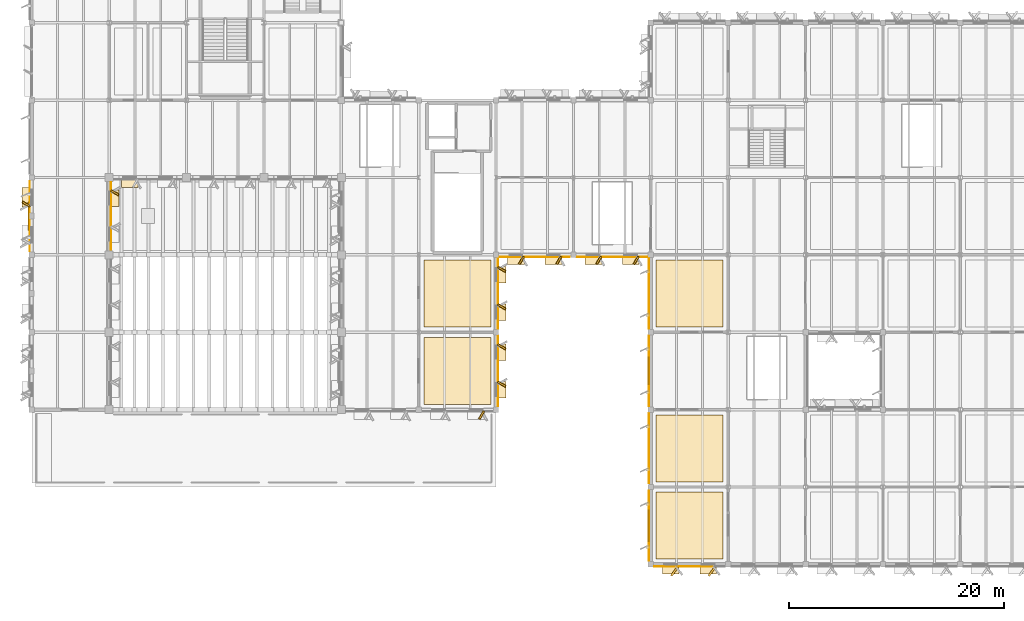
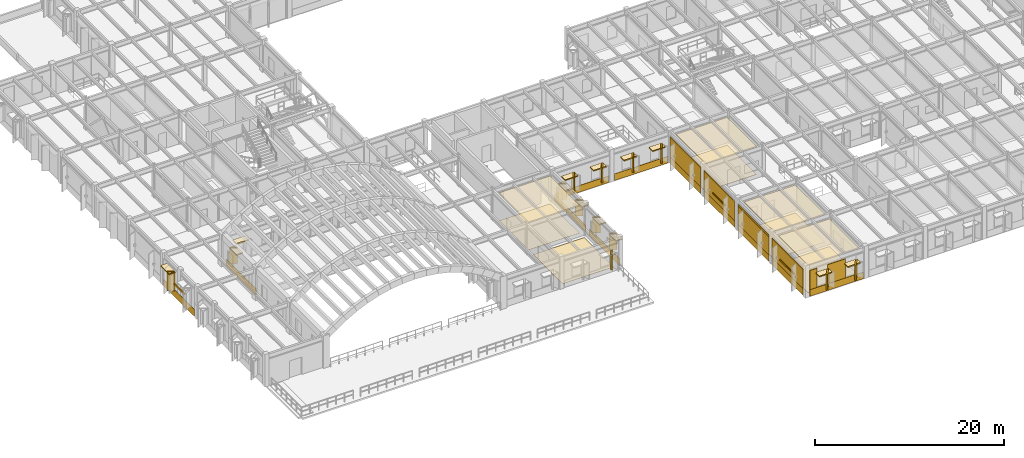
# One storey, part 71 of 85: 56 coverings, 3 shading devices.
"""IFC4 building model written with IfcOpenShell, lengths in metres."""

from ifc_helpers import new_model, si_unit, direction, frame, frame_2d, origin, origin_2d, place, context, subcontext, project, spatial, polyline, rectangle, outline, extrude, material, layer, layer_set, type_object, element, save


model = new_model("IFC4")

# Units and contexts
model_context = context("Model", 3, precision=1e-05, world=origin(), true_north=direction((0.0, 1.0)))
body_context = subcontext(model_context, "Body", "Model", "MODEL_VIEW")
ifc_project = project(units=[si_unit("LENGTHUNIT", "METRE"), si_unit("AREAUNIT", "SQUARE_METRE"), si_unit("VOLUMEUNIT", "CUBIC_METRE"), si_unit("PLANEANGLEUNIT", "RADIAN"), si_unit("MASSUNIT", "GRAM", prefix="KILO")], contexts=[model_context])

# Site, building, storey
site_placement = place(None, origin())
site = spatial("IfcSite", under=ifc_project, at=site_placement, CompositionType="ELEMENT")
building_placement = place(site_placement, origin())
building = spatial("IfcBuilding", under=site, at=building_placement, Name="Sillqori Civic Hall", CompositionType="ELEMENT")
storey_placement = place(building_placement, frame((0.0, 0.0, 9.89990234375)))
storey = spatial("IfcBuildingStorey", under=building, at=storey_placement, Name="L03", CompositionType="ELEMENT", Elevation=9.89990234375)

# Coverings
ifc_material_1 = material(Name="Perforated Metal Coffer Panel 64", Category="aluminium")
ifc_layer_1 = layer(ifc_material_1, 0.06396484375)
ifc_layer_set_1 = layer_set([ifc_layer_1], Name="Perforated Metal Coffer Panel 64")
covering_type_1 = type_object("IfcCoveringType", Name="COV-CEIL-M64", PredefinedType="CEILING", material=ifc_layer_set_1)
covering_1_placement = place(storey_placement, frame((0.0, 0.0, 3.55712890625)))
element("IfcCovering", 1, at=covering_1_placement, inside=storey, type_object=covering_type_1, Name="Youth Municipal Council Workshop Studio acoustic ceiling", PredefinedType="CEILING", context=body_context, shape_type="SweptSolid", body=[
    extrude(outline(polyline([(65.280029296875, 29.280029296875), (71.52001953125, 29.280029296875), (71.52001953125, 35.52001953125), (65.280029296875, 35.52001953125), (65.280029296875, 29.280029296875)])), origin(), (0.0, 0.0, 1.0), 0.06396484375),
])
ifc_material_2 = material(Name="Mineral-Fibre High-NRC Tile Ceiling", Category="gypsum")
ifc_layer_2 = layer(ifc_material_2, 0.02392578125)
ifc_layer_set_2 = layer_set([ifc_layer_2], Name="Mineral-Fibre High-NRC Tile Ceiling")
covering_type_2 = type_object("IfcCoveringType", Name="COV-CEIL-MIN", PredefinedType="CEILING", material=ifc_layer_set_2)
covering_2_placement = place(storey_placement, frame((0.0, 0.0, 3.59716796875)))
element("IfcCovering", 2, at=covering_2_placement, inside=storey, type_object=covering_type_2, Name="Council Presidency Robing and Caucus Salon acoustic ceiling", PredefinedType="CEILING", context=body_context, shape_type="SweptSolid", body=[
    extrude(outline(polyline([(43.679931640625, 29.280029296875), (49.919921875, 29.280029296875), (49.919921875, 35.52001953125), (43.679931640625, 35.52001953125), (43.679931640625, 29.280029296875)])), origin(), (0.0, 0.0, 1.0), 0.02392578125),
])
ifc_material_3 = material(Name="Andean Cedar Slatted Baffle 52", Category="timber")
ifc_layer_3 = layer(ifc_material_3, 0.052001953125)
ifc_layer_set_3 = layer_set([ifc_layer_3], Name="Andean Cedar Slatted Baffle 52")
covering_type_3 = type_object("IfcCoveringType", Name="COV-CEIL-T52", PredefinedType="CEILING", material=ifc_layer_set_3)
covering_3_placement = place(storey_placement, frame((0.0, 0.0, 3.569091796875)))
element("IfcCovering", 3, at=covering_3_placement, inside=storey, type_object=covering_type_3, Name="Civic Heritage Exhibition Gallery acoustic ceiling", PredefinedType="CEILING", context=body_context, shape_type="SweptSolid", body=[
    extrude(outline(polyline([(65.280029296875, 7.679931640625), (71.52001953125, 7.679931640625), (71.52001953125, 13.919921875), (65.280029296875, 13.919921875), (65.280029296875, 7.679931640625)])), origin(), (0.0, 0.0, 1.0), 0.052001953125),
])
ifc_material_4 = material(Name="Andean Cedar Deep Baffle 58", Category="timber")
ifc_layer_4 = layer(ifc_material_4, 0.05810546875)
ifc_layer_set_4 = layer_set([ifc_layer_4], Name="Andean Cedar Deep Baffle 58")
covering_type_4 = type_object("IfcCoveringType", Name="COV-CEIL-T58", PredefinedType="CEILING", material=ifc_layer_set_4)
covering_4_placement = place(storey_placement, frame((0.0, 0.0, 3.56298828125)))
element("IfcCovering", 4, at=covering_4_placement, inside=storey, type_object=covering_type_4, Name="Citizen Participatory Budgeting Forum Hall acoustic ceiling", PredefinedType="CEILING", context=body_context, shape_type="SweptSolid", body=[
    extrude(outline(polyline([(65.280029296875, 14.8798828125), (71.52001953125, 14.8798828125), (71.52001953125, 21.1201171875), (65.280029296875, 21.1201171875), (65.280029296875, 14.8798828125)])), origin(), (0.0, 0.0, 1.0), 0.05810546875),
])
ifc_material_5 = material(Name="Cochabamba Honed Limestone Cladding", Category="masonry")
ifc_layer_5 = layer(ifc_material_5, 0.044921875)
ifc_layer_set_5 = layer_set([ifc_layer_5], Name="Cochabamba Honed Limestone Cladding")
covering_type_5 = type_object("IfcCoveringType", Name="COV-CLAD-LIME", PredefinedType="CLADDING", material=ifc_layer_set_5)
covering_5_placement = place(storey_placement, frame((7.010009765625, 36.330078125, 0.0400390625), z_axis=(0.0, 0.0, 1.0), x_axis=(0.0, 1.0, 0.0)))
element("IfcCovering", 5, at=covering_5_placement, inside=storey, type_object=covering_type_5, Name="L03 limestone spandrel cladding L03-01-05-W", PredefinedType="CLADDING", context=body_context, shape_type="SweptSolid", body=[
    extrude(rectangle(XDim=6.5400390625, YDim=0.044921875, at=frame_2d((3.27001953125, 0.0))), origin(), (0.0, 0.0, 1.0), 0.860107421875),
])
covering_6_placement = place(storey_placement, frame((7.050048828125, 40.4970703125, 0.830078125), z_axis=(0.0, 0.0, 1.0), x_axis=(-0.865989465428, 0.500062241894, 0.0)))
element("IfcCovering", 6, at=covering_6_placement, inside=storey, type_object=covering_type_5, Name="Sawtooth limestone angled reveal cheek L03-01-05-W.2", PredefinedType="CLADDING", context=body_context, shape_type="SweptSolid", body=[
    extrude(rectangle(XDim=0.85009765625, YDim=0.179931640625, at=frame_2d((0.425048828125, 0.0))), origin(), (0.0, 0.0, 1.0), 2.449951171875),
])
covering_7_placement = place(storey_placement, frame((6.669921875, 40.43701171875, 3.14013671875), z_axis=(0.0, 0.0, 1.0), x_axis=(0.0, 1.0, 0.0)))
element("IfcCovering", 7, at=covering_7_placement, inside=storey, type_object=covering_type_5, Name="Sawtooth limestone window hood L03-01-05-W.2", PredefinedType="CLADDING", context=body_context, shape_type="SweptSolid", body=[
    extrude(rectangle(XDim=1.81005859375, YDim=0.780029296875, at=frame_2d((0.905029296875, 0.0))), origin(), (0.0, 0.0, 1.0), 0.139892578125),
])
covering_8_placement = place(storey_placement, frame((14.590087890625, 42.7451171875, 0.0400390625), z_axis=(0.0, 0.0, 1.0), x_axis=(0.0, -1.0, 0.0)))
element("IfcCovering", 8, at=covering_8_placement, inside=storey, type_object=covering_type_5, Name="L03 limestone spandrel cladding L03-01-05-E", PredefinedType="CLADDING", context=body_context, shape_type="SweptSolid", body=[
    extrude(rectangle(XDim=6.2900390625, YDim=0.044921875, at=frame_2d((3.14501953125, 0.0))), origin(), (0.0, 0.0, 1.0), 0.860107421875),
])
covering_9_placement = place(storey_placement, frame((14.550048828125, 41.9970703125, 0.830078125), z_axis=(0.0, 0.0, 1.0), x_axis=(0.865989465428, -0.500062241894, 0.0)))
element("IfcCovering", 9, at=covering_9_placement, inside=storey, type_object=covering_type_5, Name="Sawtooth limestone angled reveal cheek L03-01-05-E.1", PredefinedType="CLADDING", context=body_context, shape_type="SweptSolid", body=[
    extrude(rectangle(XDim=0.85009765625, YDim=0.179931640625, at=frame_2d((0.425048828125, 0.0))), origin(), (0.0, 0.0, 1.0), 2.0),
])
covering_10_placement = place(storey_placement, frame((14.929931640625, 42.056884765625, 2.690185546875), z_axis=(0.0, 0.0, 1.0), x_axis=(0.0, -1.0, 0.0)))
element("IfcCovering", 10, at=covering_10_placement, inside=storey, type_object=covering_type_5, Name="Sawtooth limestone window hood L03-01-05-E.1", PredefinedType="CLADDING", context=body_context, shape_type="SweptSolid", body=[
    extrude(rectangle(XDim=1.559814453125, YDim=0.780029296875, at=frame_2d((0.77978515625, 0.0))), origin(), (0.0, 0.0, 1.0), 0.139892578125),
])
covering_11_placement = place(storey_placement, frame((17.10302734375, 42.669921875, 2.690185546875), z_axis=(0.0, 0.0, 1.0), x_axis=(-1.0, 0.0, 0.0)))
element("IfcCovering", 11, at=covering_11_placement, inside=storey, type_object=covering_type_5, Name="Sawtooth limestone window hood L03-02-06-S.2", PredefinedType="CLADDING", context=body_context, shape_type="SweptSolid", body=[
    extrude(rectangle(XDim=1.56005859375, YDim=0.780029296875, at=frame_2d((0.780029296875, 0.0))), origin(), (0.0, 0.0, 1.0), 0.139892578125),
])
covering_12_placement = place(storey_placement, frame((49.261962890625, 21.449951171875, 0.830078125), z_axis=(0.0, 0.0, 1.0), x_axis=(-0.500062241894, -0.865989465428, 0.0)))
element("IfcCovering", 12, at=covering_12_placement, inside=storey, type_object=covering_type_5, Name="Sawtooth limestone angled reveal cheek L03-06-03-S.1", PredefinedType="CLADDING", context=body_context, shape_type="SweptSolid", body=[
    extrude(rectangle(XDim=0.85009765625, YDim=0.179931640625, at=frame_2d((0.425048828125, 0.0))), origin(), (0.0, 0.0, 1.0), 2.0),
])
covering_13_placement = place(storey_placement, frame((50.590087890625, 28.469970703125, 0.0400390625), z_axis=(0.0, 0.0, 1.0), x_axis=(0.0, -1.0, 0.0)))
element("IfcCovering", 13, at=covering_13_placement, inside=storey, type_object=covering_type_5, Name="L03 limestone spandrel cladding L03-06-03-E", PredefinedType="CLADDING", context=body_context, shape_type="SweptSolid", body=[
    extrude(rectangle(XDim=6.5400390625, YDim=0.044921875, at=frame_2d((3.27001953125, 0.0))), origin(), (0.0, 0.0, 1.0), 0.860107421875),
])
covering_14_placement = place(storey_placement, frame((50.550048828125, 27.662109375, 0.830078125), z_axis=(0.0, 0.0, 1.0), x_axis=(0.865989465428, -0.500062241894, 0.0)))
element("IfcCovering", 14, at=covering_14_placement, inside=storey, type_object=covering_type_5, Name="Sawtooth limestone angled reveal cheek L03-06-03-E.1", PredefinedType="CLADDING", context=body_context, shape_type="SweptSolid", body=[
    extrude(rectangle(XDim=0.85009765625, YDim=0.179931640625, at=frame_2d((0.425048828125, 0.0))), origin(), (0.0, 0.0, 1.0), 2.0),
])
covering_15_placement = place(storey_placement, frame((50.929931640625, 27.721923828125, 2.690185546875), z_axis=(0.0, 0.0, 1.0), x_axis=(0.0, -1.0, 0.0)))
element("IfcCovering", 15, at=covering_15_placement, inside=storey, type_object=covering_type_5, Name="Sawtooth limestone window hood L03-06-03-E.1", PredefinedType="CLADDING", context=body_context, shape_type="SweptSolid", body=[
    extrude(rectangle(XDim=1.559814453125, YDim=0.780029296875, at=frame_2d((0.77978515625, 0.0))), origin(), (0.0, 0.0, 1.0), 0.139892578125),
])
covering_16_placement = place(storey_placement, frame((50.550048828125, 24.177978515625, 0.830078125), z_axis=(0.0, 0.0, 1.0), x_axis=(0.865989465428, -0.500062241894, 0.0)))
element("IfcCovering", 16, at=covering_16_placement, inside=storey, type_object=covering_type_5, Name="Sawtooth limestone angled reveal cheek L03-06-03-E.2", PredefinedType="CLADDING", context=body_context, shape_type="SweptSolid", body=[
    extrude(rectangle(XDim=0.85009765625, YDim=0.179931640625, at=frame_2d((0.425048828125, 0.0))), origin(), (0.0, 0.0, 1.0), 2.0),
])
covering_17_placement = place(storey_placement, frame((50.929931640625, 24.238037109375, 2.690185546875), z_axis=(0.0, 0.0, 1.0), x_axis=(0.0, -1.0, 0.0)))
element("IfcCovering", 17, at=covering_17_placement, inside=storey, type_object=covering_type_5, Name="Sawtooth limestone window hood L03-06-03-E.2", PredefinedType="CLADDING", context=body_context, shape_type="SweptSolid", body=[
    extrude(rectangle(XDim=1.56005859375, YDim=0.780029296875, at=frame_2d((0.780029296875, 0.0))), origin(), (0.0, 0.0, 1.0), 0.139892578125),
])
covering_18_placement = place(storey_placement, frame((50.590087890625, 35.669921875, 0.0400390625), z_axis=(0.0, 0.0, 1.0), x_axis=(0.0, -1.0, 0.0)))
element("IfcCovering", 18, at=covering_18_placement, inside=storey, type_object=covering_type_5, Name="L03 limestone spandrel cladding L03-06-04-E", PredefinedType="CLADDING", context=body_context, shape_type="SweptSolid", body=[
    extrude(rectangle(XDim=6.5400390625, YDim=0.044921875, at=frame_2d((3.27001953125, 0.0))), origin(), (0.0, 0.0, 1.0), 0.860107421875),
])
covering_19_placement = place(storey_placement, frame((50.550048828125, 34.862060546875, 0.830078125), z_axis=(0.0, 0.0, 1.0), x_axis=(0.865989465428, -0.500062241894, 0.0)))
element("IfcCovering", 19, at=covering_19_placement, inside=storey, type_object=covering_type_5, Name="Sawtooth limestone angled reveal cheek L03-06-04-E.1", PredefinedType="CLADDING", context=body_context, shape_type="SweptSolid", body=[
    extrude(rectangle(XDim=0.85009765625, YDim=0.179931640625, at=frame_2d((0.425048828125, 0.0))), origin(), (0.0, 0.0, 1.0), 2.0),
])
covering_20_placement = place(storey_placement, frame((50.929931640625, 34.922119140625, 2.690185546875), z_axis=(0.0, 0.0, 1.0), x_axis=(0.0, -1.0, 0.0)))
element("IfcCovering", 20, at=covering_20_placement, inside=storey, type_object=covering_type_5, Name="Sawtooth limestone window hood L03-06-04-E.1", PredefinedType="CLADDING", context=body_context, shape_type="SweptSolid", body=[
    extrude(rectangle(XDim=1.56005859375, YDim=0.780029296875, at=frame_2d((0.780029296875, 0.0))), origin(), (0.0, 0.0, 1.0), 0.139892578125),
])
covering_21_placement = place(storey_placement, frame((50.550048828125, 31.3779296875, 0.830078125), z_axis=(0.0, 0.0, 1.0), x_axis=(0.865989465428, -0.500062241894, 0.0)))
element("IfcCovering", 21, at=covering_21_placement, inside=storey, type_object=covering_type_5, Name="Sawtooth limestone angled reveal cheek L03-06-04-E.2", PredefinedType="CLADDING", context=body_context, shape_type="SweptSolid", body=[
    extrude(rectangle(XDim=0.85009765625, YDim=0.179931640625, at=frame_2d((0.425048828125, 0.0))), origin(), (0.0, 0.0, 1.0), 2.0),
])
covering_22_placement = place(storey_placement, frame((50.929931640625, 31.43798828125, 2.690185546875), z_axis=(0.0, 0.0, 1.0), x_axis=(0.0, -1.0, 0.0)))
element("IfcCovering", 22, at=covering_22_placement, inside=storey, type_object=covering_type_5, Name="Sawtooth limestone window hood L03-06-04-E.2", PredefinedType="CLADDING", context=body_context, shape_type="SweptSolid", body=[
    extrude(rectangle(XDim=1.56005859375, YDim=0.780029296875, at=frame_2d((0.780029296875, 0.0))), origin(), (0.0, 0.0, 1.0), 0.139892578125),
])
covering_23_placement = place(storey_placement, frame((57.27001953125, 35.81005859375, 0.0400390625), z_axis=(0.0, 0.0, 1.0), x_axis=(-1.0, 0.0, 0.0)))
element("IfcCovering", 23, at=covering_23_placement, inside=storey, type_object=covering_type_5, Name="L03 limestone spandrel cladding L03-07-05-S", PredefinedType="CLADDING", context=body_context, shape_type="SweptSolid", body=[
    extrude(rectangle(XDim=6.5400390625, YDim=0.044921875, at=frame_2d((3.27001953125, 0.0))), origin(), (0.0, 0.0, 1.0), 0.860107421875),
])
covering_24_placement = place(storey_placement, frame((56.4619140625, 35.85009765625, 0.830078125), z_axis=(0.0, 0.0, 1.0), x_axis=(-0.499846793097, -0.866113839764, 0.0)))
element("IfcCovering", 24, at=covering_24_placement, inside=storey, type_object=covering_type_5, Name="Sawtooth limestone angled reveal cheek L03-07-05-S.1", PredefinedType="CLADDING", context=body_context, shape_type="SweptSolid", body=[
    extrude(rectangle(XDim=0.849853515625, YDim=0.179931640625, at=frame_2d((0.4248046875, 0.0))), origin(), (0.0, 0.0, 1.0), 2.0),
])
covering_25_placement = place(storey_placement, frame((56.52197265625, 35.469970703125, 2.690185546875), z_axis=(0.0, 0.0, 1.0), x_axis=(-1.0, 0.0, 0.0)))
element("IfcCovering", 25, at=covering_25_placement, inside=storey, type_object=covering_type_5, Name="Sawtooth limestone window hood L03-07-05-S.1", PredefinedType="CLADDING", context=body_context, shape_type="SweptSolid", body=[
    extrude(rectangle(XDim=1.56005859375, YDim=0.780029296875, at=frame_2d((0.780029296875, 0.0))), origin(), (0.0, 0.0, 1.0), 0.139892578125),
])
covering_26_placement = place(storey_placement, frame((52.97802734375, 35.85009765625, 0.830078125), z_axis=(0.0, 0.0, 1.0), x_axis=(-0.500062241894, -0.865989465428, 0.0)))
element("IfcCovering", 26, at=covering_26_placement, inside=storey, type_object=covering_type_5, Name="Sawtooth limestone angled reveal cheek L03-07-05-S.2", PredefinedType="CLADDING", context=body_context, shape_type="SweptSolid", body=[
    extrude(rectangle(XDim=0.85009765625, YDim=0.179931640625, at=frame_2d((0.425048828125, 0.0))), origin(), (0.0, 0.0, 1.0), 2.0),
])
covering_27_placement = place(storey_placement, frame((53.0380859375, 35.469970703125, 2.690185546875), z_axis=(0.0, 0.0, 1.0), x_axis=(-1.0, 0.0, 0.0)))
element("IfcCovering", 27, at=covering_27_placement, inside=storey, type_object=covering_type_5, Name="Sawtooth limestone window hood L03-07-05-S.2", PredefinedType="CLADDING", context=body_context, shape_type="SweptSolid", body=[
    extrude(rectangle(XDim=1.56005859375, YDim=0.780029296875, at=frame_2d((0.780029296875, 0.0))), origin(), (0.0, 0.0, 1.0), 0.139892578125),
])
covering_28_placement = place(storey_placement, frame((64.469970703125, 35.81005859375, 0.0400390625), z_axis=(0.0, 0.0, 1.0), x_axis=(-1.0, 0.0, 0.0)))
element("IfcCovering", 28, at=covering_28_placement, inside=storey, type_object=covering_type_5, Name="L03 limestone spandrel cladding L03-08-05-S", PredefinedType="CLADDING", context=body_context, shape_type="SweptSolid", body=[
    extrude(rectangle(XDim=6.5400390625, YDim=0.044921875, at=frame_2d((3.27001953125, 0.0))), origin(), (0.0, 0.0, 1.0), 0.860107421875),
])
covering_29_placement = place(storey_placement, frame((63.662109375, 35.85009765625, 0.830078125), z_axis=(0.0, 0.0, 1.0), x_axis=(-0.500062241894, -0.865989465428, 0.0)))
element("IfcCovering", 29, at=covering_29_placement, inside=storey, type_object=covering_type_5, Name="Sawtooth limestone angled reveal cheek L03-08-05-S.1", PredefinedType="CLADDING", context=body_context, shape_type="SweptSolid", body=[
    extrude(rectangle(XDim=0.85009765625, YDim=0.179931640625, at=frame_2d((0.425048828125, 0.0))), origin(), (0.0, 0.0, 1.0), 2.0),
])
covering_30_placement = place(storey_placement, frame((63.721923828125, 35.469970703125, 2.690185546875), z_axis=(0.0, 0.0, 1.0), x_axis=(-1.0, 0.0, 0.0)))
element("IfcCovering", 30, at=covering_30_placement, inside=storey, type_object=covering_type_5, Name="Sawtooth limestone window hood L03-08-05-S.1", PredefinedType="CLADDING", context=body_context, shape_type="SweptSolid", body=[
    extrude(rectangle(XDim=1.559814453125, YDim=0.780029296875, at=frame_2d((0.77978515625, 0.0))), origin(), (0.0, 0.0, 1.0), 0.139892578125),
])
covering_31_placement = place(storey_placement, frame((60.177978515625, 35.85009765625, 0.830078125), z_axis=(0.0, 0.0, 1.0), x_axis=(-0.500062241894, -0.865989465428, 0.0)))
element("IfcCovering", 31, at=covering_31_placement, inside=storey, type_object=covering_type_5, Name="Sawtooth limestone angled reveal cheek L03-08-05-S.2", PredefinedType="CLADDING", context=body_context, shape_type="SweptSolid", body=[
    extrude(rectangle(XDim=0.85009765625, YDim=0.179931640625, at=frame_2d((0.425048828125, 0.0))), origin(), (0.0, 0.0, 1.0), 2.0),
])
covering_32_placement = place(storey_placement, frame((60.238037109375, 35.469970703125, 2.690185546875), z_axis=(0.0, 0.0, 1.0), x_axis=(-1.0, 0.0, 0.0)))
element("IfcCovering", 32, at=covering_32_placement, inside=storey, type_object=covering_type_5, Name="Sawtooth limestone window hood L03-08-05-S.2", PredefinedType="CLADDING", context=body_context, shape_type="SweptSolid", body=[
    extrude(rectangle(XDim=1.56005859375, YDim=0.780029296875, at=frame_2d((0.780029296875, 0.0))), origin(), (0.0, 0.0, 1.0), 0.139892578125),
])
covering_33_placement = place(storey_placement, frame((71.669921875, 7.02001953125, 0.0400390625), z_axis=(0.0, 0.0, 1.0), x_axis=(-1.0, 0.0, 0.0)))
element("IfcCovering", 33, at=covering_33_placement, inside=storey, type_object=covering_type_5, Name="L03 limestone spandrel cladding L03-09-01-S", PredefinedType="CLADDING", context=body_context, shape_type="SweptSolid", body=[
    extrude(rectangle(XDim=6.5400390625, YDim=0.044921875, at=frame_2d((3.27001953125, 0.0))), origin(), (0.0, 0.0, 1.0), 0.860107421875),
])
covering_34_placement = place(storey_placement, frame((69.501953125, 7.02001953125, 0.900146484375), z_axis=(0.0, 0.0, 1.0), x_axis=(-1.0, 0.0, 0.0)))
element("IfcCovering", 34, at=covering_34_placement, inside=storey, type_object=covering_type_5, Name="L03 Wedge Hall limestone pier cladding L03-09-01-S.2", PredefinedType="CLADDING", context=body_context, shape_type="SweptSolid", body=[
    extrude(rectangle(XDim=2.203857421875, YDim=0.044921875, at=frame_2d((1.10205078125, 0.0))), origin(), (0.0, 0.0, 1.0), 2.47802734375),
])
covering_35_placement = place(storey_placement, frame((66.01806640625, 7.02001953125, 0.900146484375), z_axis=(0.0, 0.0, 1.0), x_axis=(-1.0, 0.0, 0.0)))
element("IfcCovering", 35, at=covering_35_placement, inside=storey, type_object=covering_type_5, Name="L03 Wedge Hall limestone pier cladding L03-09-01-S.3", PredefinedType="CLADDING", context=body_context, shape_type="SweptSolid", body=[
    extrude(rectangle(XDim=0.88818359375, YDim=0.044921875, at=frame_2d((0.444091796875, 0.0))), origin(), (0.0, 0.0, 1.0), 2.47802734375),
])
covering_36_placement = place(storey_placement, frame((70.862060546875, 7.06005859375, 0.830078125), z_axis=(0.0, 0.0, 1.0), x_axis=(-0.587805596445, -0.809002213092, 0.0)))
element("IfcCovering", 36, at=covering_36_placement, inside=storey, type_object=covering_type_5, Name="Sawtooth limestone angled reveal cheek L03-09-01-S.1", PredefinedType="CLADDING", context=body_context, shape_type="SweptSolid", body=[
    extrude(rectangle(XDim=1.150146484375, YDim=0.179931640625, at=frame_2d((0.5751953125, 0.0))), origin(), (0.0, 0.0, 1.0), 2.0),
])
covering_37_placement = place(storey_placement, frame((70.922119140625, 6.679931640625, 2.690185546875), z_axis=(0.0, 0.0, 1.0), x_axis=(-1.0, 0.0, 0.0)))
element("IfcCovering", 37, at=covering_37_placement, inside=storey, type_object=covering_type_5, Name="Sawtooth limestone window hood L03-09-01-S.1", PredefinedType="CLADDING", context=body_context, shape_type="SweptSolid", body=[
    extrude(rectangle(XDim=1.56005859375, YDim=0.780029296875, at=frame_2d((0.780029296875, 0.0))), origin(), (0.0, 0.0, 1.0), 0.139892578125),
])
covering_38_placement = place(storey_placement, frame((67.3779296875, 7.06005859375, 0.830078125), z_axis=(0.0, 0.0, 1.0), x_axis=(-0.587805596445, -0.809002213092, 0.0)))
element("IfcCovering", 38, at=covering_38_placement, inside=storey, type_object=covering_type_5, Name="Sawtooth limestone angled reveal cheek L03-09-01-S.2", PredefinedType="CLADDING", context=body_context, shape_type="SweptSolid", body=[
    extrude(rectangle(XDim=1.150146484375, YDim=0.179931640625, at=frame_2d((0.5751953125, 0.0))), origin(), (0.0, 0.0, 1.0), 2.0),
])
covering_39_placement = place(storey_placement, frame((67.43798828125, 6.679931640625, 2.690185546875), z_axis=(0.0, 0.0, 1.0), x_axis=(-1.0, 0.0, 0.0)))
element("IfcCovering", 39, at=covering_39_placement, inside=storey, type_object=covering_type_5, Name="Sawtooth limestone window hood L03-09-01-S.2", PredefinedType="CLADDING", context=body_context, shape_type="SweptSolid", body=[
    extrude(rectangle(XDim=1.56005859375, YDim=0.780029296875, at=frame_2d((0.780029296875, 0.0))), origin(), (0.0, 0.0, 1.0), 0.139892578125),
])
covering_40_placement = place(storey_placement, frame((64.6201171875, 7.530029296875, 0.0400390625), z_axis=(0.0, 0.0, 1.0), x_axis=(0.0, 1.0, 0.0)))
element("IfcCovering", 40, at=covering_40_placement, inside=storey, type_object=covering_type_5, Name="L03 limestone spandrel cladding L03-09-01-W", PredefinedType="CLADDING", context=body_context, shape_type="SweptSolid", body=[
    extrude(rectangle(XDim=6.5400390625, YDim=0.044921875, at=frame_2d((3.27001953125, 0.0))), origin(), (0.0, 0.0, 1.0), 0.860107421875),
])
covering_41_placement = place(storey_placement, frame((64.6201171875, 7.530029296875, 3.22021484375), z_axis=(0.0, 0.0, 1.0), x_axis=(0.0, 1.0, 0.0)))
element("IfcCovering", 41, at=covering_41_placement, inside=storey, type_object=covering_type_5, Name="L03 limestone frieze cladding L03-09-01-W", PredefinedType="CLADDING", context=body_context, shape_type="SweptSolid", body=[
    extrude(rectangle(XDim=6.5400390625, YDim=0.044921875, at=frame_2d((3.27001953125, 0.0))), origin(), (0.0, 0.0, 1.0), 0.226806640625),
])
covering_42_placement = place(storey_placement, frame((64.6201171875, 7.530029296875, 0.900146484375), z_axis=(0.0, 0.0, 1.0), x_axis=(0.0, 1.0, 0.0)))
element("IfcCovering", 42, at=covering_42_placement, inside=storey, type_object=covering_type_5, Name="L03 Wedge Hall limestone pier cladding L03-09-01-W.1", PredefinedType="CLADDING", context=body_context, shape_type="SweptSolid", body=[
    extrude(rectangle(XDim=6.5400390625, YDim=0.044921875, at=frame_2d((3.27001953125, 0.0))), origin(), (0.0, 0.0, 1.0), 2.546875),
])
covering_43_placement = place(storey_placement, frame((64.6201171875, 14.72998046875, 0.0400390625), z_axis=(0.0, 0.0, 1.0), x_axis=(0.0, 1.0, 0.0)))
element("IfcCovering", 43, at=covering_43_placement, inside=storey, type_object=covering_type_5, Name="L03 limestone spandrel cladding L03-09-02-W", PredefinedType="CLADDING", context=body_context, shape_type="SweptSolid", body=[
    extrude(rectangle(XDim=6.5400390625, YDim=0.044921875, at=frame_2d((3.27001953125, 0.0))), origin(), (0.0, 0.0, 1.0), 0.860107421875),
])
covering_44_placement = place(storey_placement, frame((64.6201171875, 14.72998046875, 3.22021484375), z_axis=(0.0, 0.0, 1.0), x_axis=(0.0, 1.0, 0.0)))
element("IfcCovering", 44, at=covering_44_placement, inside=storey, type_object=covering_type_5, Name="L03 limestone frieze cladding L03-09-02-W", PredefinedType="CLADDING", context=body_context, shape_type="SweptSolid", body=[
    extrude(rectangle(XDim=6.5400390625, YDim=0.044921875, at=frame_2d((3.27001953125, 0.0))), origin(), (0.0, 0.0, 1.0), 0.226806640625),
])
covering_45_placement = place(storey_placement, frame((64.6201171875, 14.72998046875, 0.900146484375), z_axis=(0.0, 0.0, 1.0), x_axis=(0.0, 1.0, 0.0)))
element("IfcCovering", 45, at=covering_45_placement, inside=storey, type_object=covering_type_5, Name="L03 Wedge Hall limestone pier cladding L03-09-02-W.1", PredefinedType="CLADDING", context=body_context, shape_type="SweptSolid", body=[
    extrude(rectangle(XDim=6.5400390625, YDim=0.044921875, at=frame_2d((3.27001953125, 0.0))), origin(), (0.0, 0.0, 1.0), 2.546875),
])
covering_46_placement = place(storey_placement, frame((64.6201171875, 21.929931640625, 0.0400390625), z_axis=(0.0, 0.0, 1.0), x_axis=(0.0, 1.0, 0.0)))
element("IfcCovering", 46, at=covering_46_placement, inside=storey, type_object=covering_type_5, Name="L03 limestone spandrel cladding L03-09-03-W", PredefinedType="CLADDING", context=body_context, shape_type="SweptSolid", body=[
    extrude(rectangle(XDim=6.5400390625, YDim=0.044921875, at=frame_2d((3.27001953125, 0.0))), origin(), (0.0, 0.0, 1.0), 0.860107421875),
])
covering_47_placement = place(storey_placement, frame((64.6201171875, 21.929931640625, 3.22021484375), z_axis=(0.0, 0.0, 1.0), x_axis=(0.0, 1.0, 0.0)))
element("IfcCovering", 47, at=covering_47_placement, inside=storey, type_object=covering_type_5, Name="L03 limestone frieze cladding L03-09-03-W", PredefinedType="CLADDING", context=body_context, shape_type="SweptSolid", body=[
    extrude(rectangle(XDim=6.5400390625, YDim=0.044921875, at=frame_2d((3.27001953125, 0.0))), origin(), (0.0, 0.0, 1.0), 0.226806640625),
])
covering_48_placement = place(storey_placement, frame((64.6201171875, 21.929931640625, 0.900146484375), z_axis=(0.0, 0.0, 1.0), x_axis=(0.0, 1.0, 0.0)))
element("IfcCovering", 48, at=covering_48_placement, inside=storey, type_object=covering_type_5, Name="L03 Wedge Hall limestone pier cladding L03-09-03-W.1", PredefinedType="CLADDING", context=body_context, shape_type="SweptSolid", body=[
    extrude(rectangle(XDim=6.5400390625, YDim=0.044921875, at=frame_2d((3.27001953125, 0.0))), origin(), (0.0, 0.0, 1.0), 2.546875),
])
covering_49_placement = place(storey_placement, frame((64.6201171875, 29.1298828125, 0.0400390625), z_axis=(0.0, 0.0, 1.0), x_axis=(0.0, 1.0, 0.0)))
element("IfcCovering", 49, at=covering_49_placement, inside=storey, type_object=covering_type_5, Name="L03 limestone spandrel cladding L03-09-04-W", PredefinedType="CLADDING", context=body_context, shape_type="SweptSolid", body=[
    extrude(rectangle(XDim=6.5400390625, YDim=0.044921875, at=frame_2d((3.27001953125, 0.0))), origin(), (0.0, 0.0, 1.0), 0.860107421875),
])
covering_50_placement = place(storey_placement, frame((64.6201171875, 29.1298828125, 3.22021484375), z_axis=(0.0, 0.0, 1.0), x_axis=(0.0, 1.0, 0.0)))
element("IfcCovering", 50, at=covering_50_placement, inside=storey, type_object=covering_type_5, Name="L03 limestone frieze cladding L03-09-04-W", PredefinedType="CLADDING", context=body_context, shape_type="SweptSolid", body=[
    extrude(rectangle(XDim=6.5400390625, YDim=0.044921875, at=frame_2d((3.27001953125, 0.0))), origin(), (0.0, 0.0, 1.0), 0.226806640625),
])
covering_51_placement = place(storey_placement, frame((64.6201171875, 29.1298828125, 0.900146484375), z_axis=(0.0, 0.0, 1.0), x_axis=(0.0, 1.0, 0.0)))
element("IfcCovering", 51, at=covering_51_placement, inside=storey, type_object=covering_type_5, Name="L03 Wedge Hall limestone pier cladding L03-09-04-W.1", PredefinedType="CLADDING", context=body_context, shape_type="SweptSolid", body=[
    extrude(rectangle(XDim=6.5400390625, YDim=0.044921875, at=frame_2d((3.27001953125, 0.0))), origin(), (0.0, 0.0, 1.0), 2.546875),
])
ifc_material_6 = material(Name="Slip-Resistant R11 Porcelain Tile", Category="ceramic")
ifc_layer_6 = layer(ifc_material_6, 0.02001953125)
ifc_layer_set_6 = layer_set([ifc_layer_6], Name="Slip-Resistant R11 Porcelain Tile")
covering_type_6 = type_object("IfcCoveringType", Name="COV-FLR-POR", PredefinedType="FLOORING", material=ifc_layer_set_6)
covering_52_placement = place(storey_placement, origin())
element("IfcCovering", 52, at=covering_52_placement, inside=storey, type_object=covering_type_6, Name="Council Presidency Robing and Caucus Salon floor finish", PredefinedType="FLOORING", context=body_context, shape_type="SweptSolid", body=[
    extrude(outline(polyline([(43.679931640625, 29.280029296875), (49.919921875, 29.280029296875), (49.919921875, 35.52001953125), (43.679931640625, 35.52001953125), (43.679931640625, 29.280029296875)])), origin(), (0.0, 0.0, 1.0), 0.02001953125),
])
ifc_material_7 = material(Name="Engineered Tajibo Hardwood Flooring", Category="wood")
ifc_layer_7 = layer(ifc_material_7, 0.02587890625)
ifc_layer_set_7 = layer_set([ifc_layer_7], Name="Engineered Tajibo Hardwood Flooring")
covering_type_7 = type_object("IfcCoveringType", Name="COV-FLR-PRQ", PredefinedType="FLOORING", material=ifc_layer_set_7)
covering_53_placement = place(storey_placement, origin())
element("IfcCovering", 53, at=covering_53_placement, inside=storey, type_object=covering_type_7, Name="Council Chamber floor finish", PredefinedType="FLOORING", context=body_context, shape_type="SweptSolid", body=[
    extrude(outline(polyline([(43.679931640625, 22.080078125), (49.919921875, 22.080078125), (49.919921875, 28.320068359375), (43.679931640625, 28.320068359375), (43.679931640625, 22.080078125)])), origin(), (0.0, 0.0, 1.0), 0.026123046875),
])
ifc_material_8 = material(Name="Heavy Hall Basalt Terrazzo 56", Category="masonry")
ifc_layer_8 = layer(ifc_material_8, 0.055908203125)
ifc_layer_set_8 = layer_set([ifc_layer_8], Name="Heavy Hall Basalt Terrazzo 56")
covering_type_8 = type_object("IfcCoveringType", Name="COV-FLR-S56", PredefinedType="FLOORING", material=ifc_layer_set_8)
covering_54_placement = place(storey_placement, origin())
element("IfcCovering", 54, at=covering_54_placement, inside=storey, type_object=covering_type_8, Name="Civic Heritage Exhibition Gallery floor finish", PredefinedType="FLOORING", context=body_context, shape_type="SweptSolid", body=[
    extrude(outline(polyline([(65.280029296875, 7.679931640625), (71.52001953125, 7.679931640625), (71.52001953125, 13.919921875), (65.280029296875, 13.919921875), (65.280029296875, 7.679931640625)])), origin(), (0.0, 0.0, 1.0), 0.05615234375),
])
ifc_material_9 = material(Name="Tajibo Parquet Strip Flooring 22", Category="timber")
ifc_layer_9 = layer(ifc_material_9, 0.02197265625)
ifc_layer_set_9 = layer_set([ifc_layer_9], Name="Tajibo Parquet Strip Flooring 22")
covering_type_9 = type_object("IfcCoveringType", Name="COV-FLR-T22", PredefinedType="FLOORING", material=ifc_layer_set_9)
covering_55_placement = place(storey_placement, origin())
element("IfcCovering", 55, at=covering_55_placement, inside=storey, type_object=covering_type_9, Name="Citizen Participatory Budgeting Forum Hall floor finish", PredefinedType="FLOORING", context=body_context, shape_type="SweptSolid", body=[
    extrude(outline(polyline([(65.280029296875, 14.8798828125), (71.52001953125, 14.8798828125), (71.52001953125, 21.1201171875), (65.280029296875, 21.1201171875), (65.280029296875, 14.8798828125)])), origin(), (0.0, 0.0, 1.0), 0.022216796875),
])
ifc_material_10 = material(Name="Acoustic Sprung Timber Flooring 30", Category="wood")
ifc_layer_10 = layer(ifc_material_10, 0.030029296875)
ifc_layer_set_10 = layer_set([ifc_layer_10], Name="Acoustic Sprung Timber Flooring 30")
covering_type_10 = type_object("IfcCoveringType", Name="COV-FLR-T30", PredefinedType="FLOORING", material=ifc_layer_set_10)
covering_56_placement = place(storey_placement, origin())
element("IfcCovering", 56, at=covering_56_placement, inside=storey, type_object=covering_type_10, Name="Youth Municipal Council Workshop Studio floor finish", PredefinedType="FLOORING", context=body_context, shape_type="SweptSolid", body=[
    extrude(outline(polyline([(65.280029296875, 29.280029296875), (71.52001953125, 29.280029296875), (71.52001953125, 35.52001953125), (65.280029296875, 35.52001953125), (65.280029296875, 29.280029296875)])), origin(), (0.0, 0.0, 1.0), 0.030029296875),
])

# Shading devices
ifc_material_11 = material(Name="Anodized Aluminium Solar Control Louvre", Category="aluminium")
shading_device_type_1 = type_object("IfcShadingDeviceType", Name="SHD-CLAU-260", PredefinedType="SHUTTER", material=ifc_material_11)
for number, where, z_axis, x_axis, name in (
    (57, (6.969970703125, 39.60009765625, 1.65869140625), (0.0, 0.0, 1.0), (0.0, 1.0, 0.0), "L03 pierced claustra screen L03-01-05-W"),
    (58, (64.580078125, 25.199951171875, 1.668701171875), (0.0, 0.0, 1.0), (0.0, 1.0, 0.0), "L03 pierced claustra screen L03-09-03-W"),
):
    element("IfcShadingDevice", number, at=place(storey_placement, frame(where, z_axis=z_axis, x_axis=x_axis)), inside=storey, type_object=shading_device_type_1, Name=name, PredefinedType="SHUTTER", context=body_context, shape_type="SweptSolid", body=[
        extrude(rectangle(XDim=2.60009765625, YDim=0.159912109375, at=origin_2d()), origin(), (0.0, 0.0, 1.0), 0.14990234375),
    ])
shading_device_type_2 = type_object("IfcShadingDeviceType", Name="SHD-CLAU-300", PredefinedType="SHUTTER", material=ifc_material_11)
shading_device_placement = place(storey_placement, frame((64.580078125, 10.800048828125, 1.668701171875), z_axis=(0.0, 0.0, 1.0), x_axis=(0.0, 1.0, 0.0)))
element("IfcShadingDevice", 59, at=shading_device_placement, inside=storey, type_object=shading_device_type_2, Name="L03 pierced claustra screen L03-09-01-W", PredefinedType="SHUTTER", context=body_context, shape_type="SweptSolid", body=[
    extrude(rectangle(XDim=3.0, YDim=0.159912109375, at=origin_2d()), origin(), (0.0, 0.0, 1.0), 0.14990234375),
])

save(model, "model.ifc")
